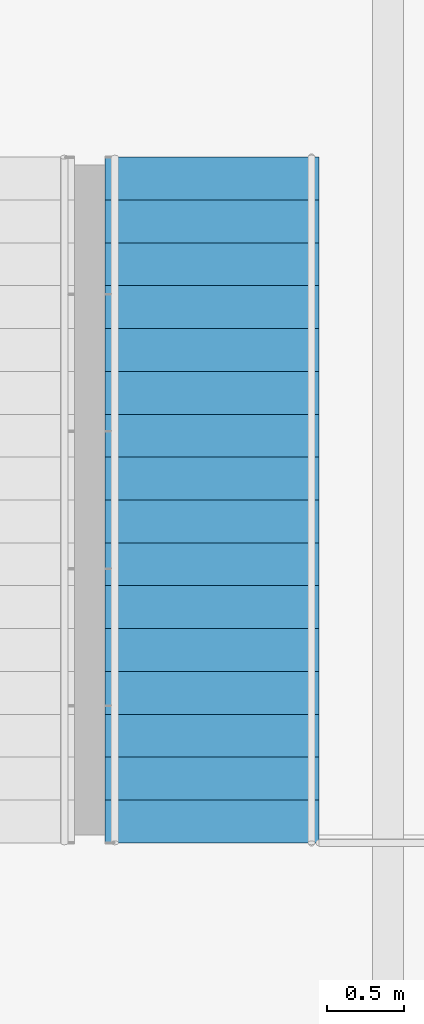
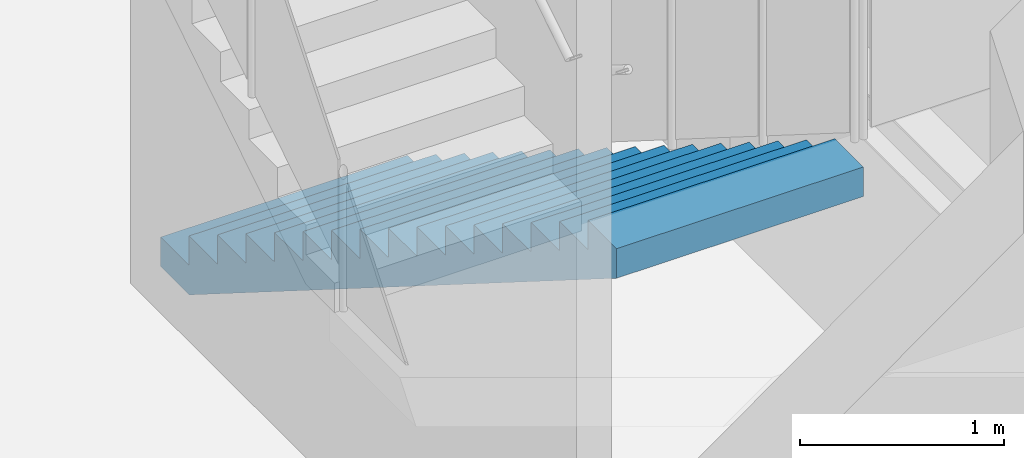
# One storey, part 17 of 21: 1 stair flight, 1 element without a shape of its own.
"""IFC4 building model written with IfcOpenShell, lengths in metres."""

from ifc_helpers import new_model, si_unit, direction, frame, origin, place, context, subcontext, project, spatial, polyline, outline, extrude, material, type_object, element, aggregate, save


model = new_model("IFC4")

# Units and contexts
model_context = context("Model", 3, precision=1e-05, world=origin(), true_north=direction((0.0, 1.0)))
body_context = subcontext(model_context, "Body", "Model", "MODEL_VIEW")
ifc_project = project(units=[si_unit("LENGTHUNIT", "METRE"), si_unit("AREAUNIT", "SQUARE_METRE"), si_unit("VOLUMEUNIT", "CUBIC_METRE"), si_unit("PLANEANGLEUNIT", "RADIAN"), si_unit("MASSUNIT", "GRAM", prefix="KILO")], contexts=[model_context])

# Site, building, storey
site_placement = place(None, origin())
site = spatial("IfcSite", under=ifc_project, at=site_placement, CompositionType="ELEMENT")
building_placement = place(site_placement, origin())
building = spatial("IfcBuilding", under=site, at=building_placement, Name="Torre Alcanfor", CompositionType="ELEMENT")
storey_placement = place(building_placement, origin())
storey = spatial("IfcBuildingStorey", under=building, at=storey_placement, Name="L00", CompositionType="ELEMENT", Elevation=0.0)

# Stair, stair flight
ifc_material_1 = material(Name="Concrete f'c 35 MPa", Category="concrete")
stair_type = type_object("IfcStairType", Name="Exit stair SS4 1400 wide", PredefinedType="HALF_TURN_STAIR", material=ifc_material_1)
stair_placement = place(storey_placement, origin())
stair = element("IfcStair", 1, at=stair_placement, inside=storey, type_object=stair_type, Name="Stair SS4 L00 to L01", PredefinedType="HALF_TURN_STAIR")
ifc_material_2 = material(Name="Concrete f'c 35 MPa", Category="concrete")
stair_flight_type = type_object("IfcStairFlightType", Name="Stair flight 1400", PredefinedType="STRAIGHT", material=ifc_material_2)
stair_flight_placement = place(storey_placement, frame((57.64990234375, 56.574951171875, 0.0), z_axis=(0.0, 0.0, 1.0), x_axis=(0.0, -1.0, 0.0)))
stair_flight = element("IfcStairFlight", 2, at=stair_flight_placement, type_object=stair_flight_type, Name="SS4 flight 1", NumberOfRisers=17, NumberOfTreads=16, PredefinedType="STRAIGHT", RiserHeight=0.176470588, TreadLength=0.28, context=body_context, shape_type="SweptSolid", body=[
    extrude(outline(polyline([(0.0, 0.0), (0.0, 0.176513671875), (0.280029296875, 0.176513671875), (0.280029296875, 0.35302734375), (0.56005859375, 0.35302734375), (0.56005859375, 0.529296875), (0.840087890625, 0.529296875), (0.840087890625, 0.705810546875), (1.1201171875, 0.705810546875), (1.1201171875, 0.88232421875), (1.39990234375, 0.88232421875), (1.39990234375, 1.058837890625), (1.679931640625, 1.058837890625), (1.679931640625, 1.2353515625), (1.9599609375, 1.2353515625), (1.9599609375, 1.411865234375), (2.239990234375, 1.411865234375), (2.239990234375, 1.588134765625), (2.52001953125, 1.588134765625), (2.52001953125, 1.7646484375), (2.800048828125, 1.7646484375), (2.800048828125, 1.941162109375), (3.080078125, 1.941162109375), (3.080078125, 2.11767578125), (3.360107421875, 2.11767578125), (3.360107421875, 2.294189453125), (3.639892578125, 2.294189453125), (3.639892578125, 2.470703125), (3.919921875, 2.470703125), (3.919921875, 2.64697265625), (4.199951171875, 2.64697265625), (4.199951171875, 2.823486328125), (4.47998046875, 2.823486328125), (4.47998046875, 3.0), (4.47998046875, 2.646240234375), (0.28125, 0.0), (0.0, 0.0)])), frame((0.0, 0.699951171875, 0.0), z_axis=(0.0, -1.0, 0.0), x_axis=(1.0, 0.0, 0.0)), (0.0, 0.0, 1.0), 1.39990234375),
])
aggregate(stair, [stair_flight])

save(model, "model.ifc")
